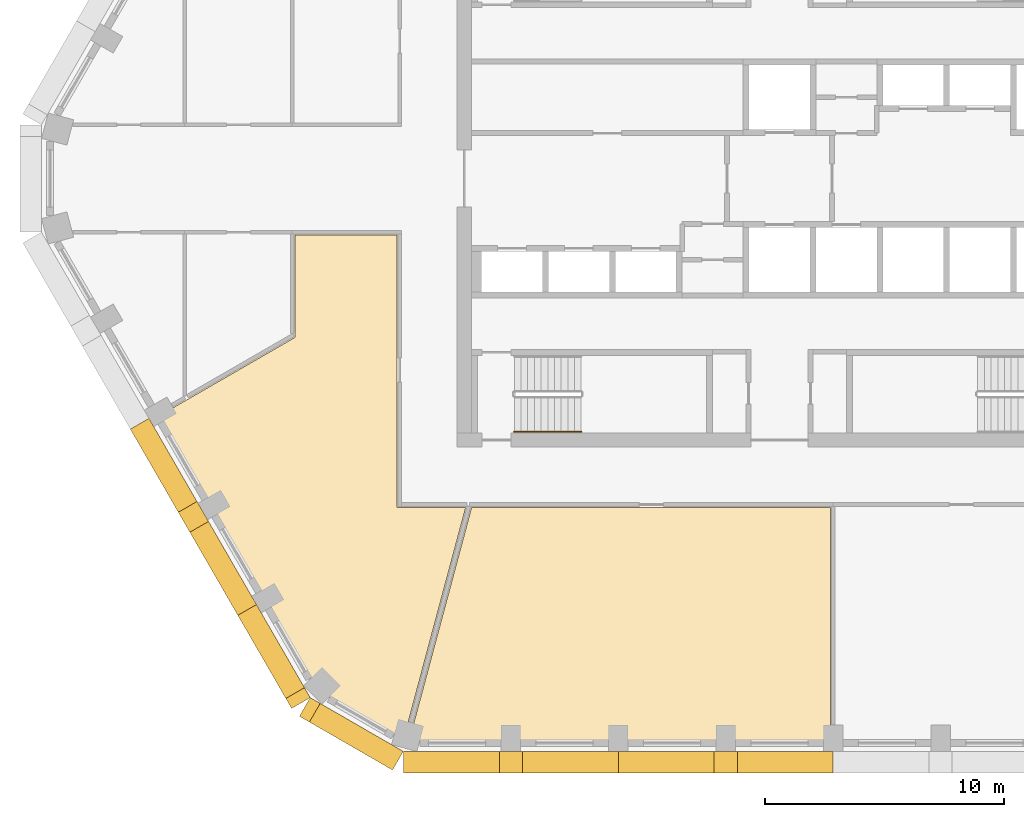
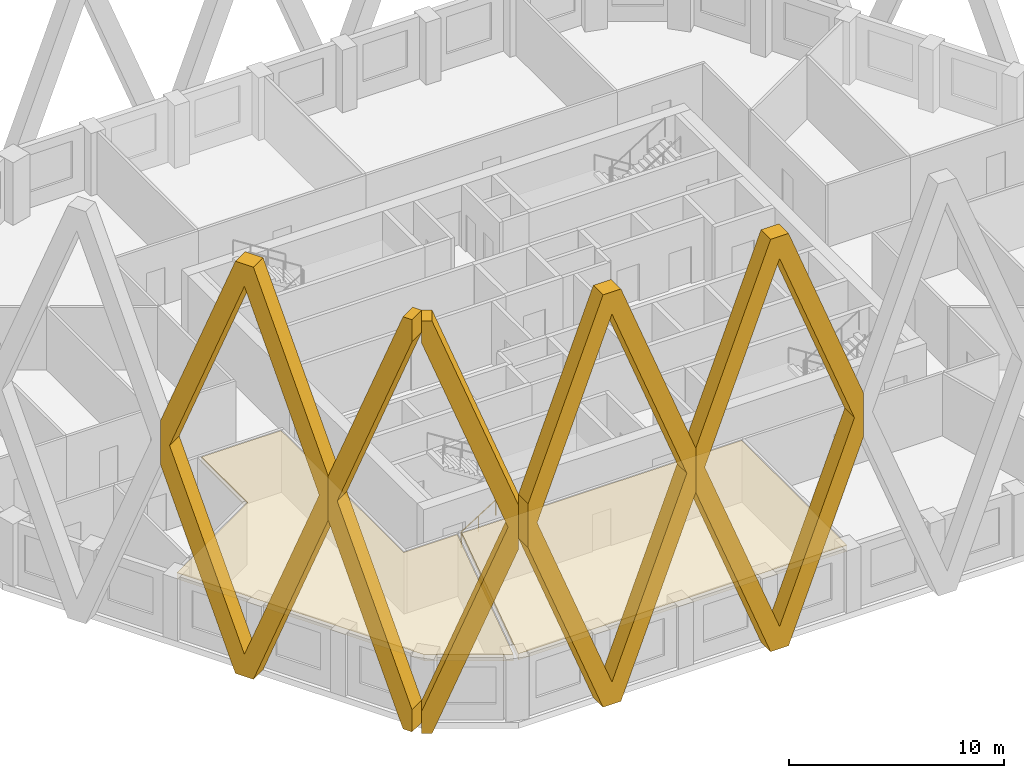
# One storey, part 8 of 15: 7 coverings, 1 railing.
"""IFC4 building model written with IfcOpenShell, lengths in metres."""

from ifc_helpers import new_model, si_unit, direction, frame, origin, origin_2d, place, context, subcontext, project, spatial, polyline, circle, outline, extrude, material, layer, layer_set, type_object, element, save


model = new_model("IFC4")

# Units and contexts
model_context = context("Model", 3, precision=1e-05, world=origin(), true_north=direction((0.0, 1.0)))
body_context = subcontext(model_context, "Body", "Model", "MODEL_VIEW")
ifc_project = project(units=[si_unit("LENGTHUNIT", "METRE"), si_unit("AREAUNIT", "SQUARE_METRE"), si_unit("VOLUMEUNIT", "CUBIC_METRE"), si_unit("PLANEANGLEUNIT", "RADIAN"), si_unit("MASSUNIT", "GRAM", prefix="KILO")], contexts=[model_context])

# Site, building, storey
site_placement = place(None, origin())
site = spatial("IfcSite", under=ifc_project, at=site_placement, CompositionType="ELEMENT")
building_placement = place(site_placement, origin())
building = spatial("IfcBuilding", under=site, at=building_placement, Name="Dhurran Vertical Campus", CompositionType="ELEMENT")
storey_placement = place(building_placement, frame((0.0, 0.0, 207.300048828125)))
storey = spatial("IfcBuildingStorey", under=building, at=storey_placement, Name="L51", CompositionType="ELEMENT", Elevation=207.300048828125)

# Coverings
ifc_material_1 = material(Name="Precast concrete C50/60", Category="concrete")
covering_type_1 = type_object("IfcCoveringType", Name="Folded precast fin lattice diamond", PredefinedType="USERDEFINED", material=ifc_material_1)
for number, where, z_axis, x_axis, name in (
    (1, (-15.75, -23.985595703125, 0.0), (0.0, -1.0, 0.0), (1.0, 0.0, 0.0), "FN1 L51.001"),
    (2, (-6.75, -23.985595703125, 0.0), (0.0, -1.0, 0.0), (1.0, 0.0, 0.0), "FN1 L51.002"),
    (3, (-26.397216796875, -10.044189453125, 0.0), (-0.866013897511, -0.50001992892, 0.0), (0.50001992892, -0.866013897511, 0.0), "FN1 L51.024"),
):
    element("IfcCovering", number, at=place(storey_placement, frame(where, z_axis=z_axis, x_axis=x_axis)), inside=storey, type_object=covering_type_1, Name=name, ObjectType="FIN", PredefinedType="USERDEFINED", context=body_context, shape_type="SweptSolid", body=[
        extrude(outline(polyline([(9.0, 12.95361328125), (9.0, 10.4462890625), (4.982177734375, 0.0), (4.017822265625, 0.0), (0.0, 10.4462890625), (0.0, 12.95361328125), (4.017822265625, 23.39990234375), (4.982177734375, 23.39990234375), (9.0, 12.95361328125)]), holes=[polyline([(8.517822265625, 11.699951171875), (4.5, 22.146484375), (0.482177734375, 11.699951171875), (4.5, 1.253662109375), (8.517822265625, 11.699951171875)])]), origin(), (0.0, 0.0, 1.0), 0.89990234375),
    ])
covering_1_placement = place(storey_placement, frame((-21.897216796875, -17.83837890625, 0.0), z_axis=(-0.865896406789, -0.500223362819, 0.0), x_axis=(0.500223362819, -0.865896406789, 0.0)))
element("IfcCovering", 4, at=covering_1_placement, inside=storey, type_object=covering_type_1, Name="FN1 L51.025", ObjectType="FIN", PredefinedType="USERDEFINED", context=body_context, shape_type="SweptSolid", body=[
    extrude(outline(polyline([(4.017822265625, 0.0), (0.0, 10.4462890625), (0.0, 12.95361328125), (4.017822265625, 23.39990234375), (4.5, 23.39990234375), (4.5, 22.146484375), (0.482177734375, 11.699951171875), (4.5, 1.253662109375), (4.5, 0.0), (4.017822265625, 0.0)])), origin(), (0.0, 0.0, 1.0), 0.89990234375),
])
covering_2_placement = place(storey_placement, frame((-19.647216796875, -21.735595703125, 0.0), z_axis=(-0.50001992892, -0.866013897511, 0.0), x_axis=(0.866013897511, -0.50001992892, 0.0)))
element("IfcCovering", 5, at=covering_2_placement, inside=storey, type_object=covering_type_1, Name="FN1 L51.026", ObjectType="FIN", PredefinedType="USERDEFINED", context=body_context, shape_type="SweptSolid", body=[
    extrude(outline(polyline([(4.5, 10.4462890625), (0.482177734375, 0.0), (0.0, 0.0), (0.0, 1.253662109375), (4.017822265625, 11.699951171875), (0.0, 22.146484375), (0.0, 23.39990234375), (0.482177734375, 23.39990234375), (4.5, 12.95361328125), (4.5, 10.4462890625)])), origin(), (0.0, 0.0, 1.0), 0.89990234375),
])

# Railing
ifc_material_2 = material(Name="Stainless steel handrail", Category="steel")
railing_type = type_object("IfcRailingType", Name="co-RL-HANDRAIL-900", PredefinedType="HANDRAIL", material=ifc_material_2)
railing_placement = place(storey_placement, frame((-11.10009765625, -10.60009765625, 0.17724609375)))
element("IfcRailing", 6, at=railing_placement, inside=storey, type_object=railing_type, Name="L51 ST3 stair handrail 1", PredefinedType="HANDRAIL", context=body_context, shape_type="SweptSolid", body=[
    extrude(circle(Radius=0.02392578125, at=origin_2d()), frame((0.0, 0.0, 0.8759765625), z_axis=(0.844908973607, 0.0, 0.534910110503), x_axis=(0.0, 1.0, 0.0)), (0.0, 0.0, 1.0), 3.31396484375),
    extrude(circle(Radius=0.02099609375, at=origin_2d()), origin(), (0.0, 0.0, 1.0), 0.851806640625),
    extrude(circle(Radius=0.02099609375, at=origin_2d()), frame((0.933349609375, 0.0, 0.5908203125)), (0.0, 0.0, 1.0), 0.851806640625),
    extrude(circle(Radius=0.02099609375, at=origin_2d()), frame((1.86669921875, 0.0, 1.181884765625)), (0.0, 0.0, 1.0), 0.851806640625),
    extrude(circle(Radius=0.02099609375, at=origin_2d()), frame((2.800048828125, 0.0, 1.772705078125)), (0.0, 0.0, 1.0), 0.851806640625),
])

# Coverings
ifc_material_3 = material(Name="Mineral fibre ceiling tiles on suspended grid")
ifc_layer = layer(ifc_material_3, 0.35009765625)
ifc_layer_set = layer_set([ifc_layer], Name="Mineral fibre ceiling tiles on suspended grid")
covering_type_2 = type_object("IfcCoveringType", Name="fl-CE-350 suspended ceiling", PredefinedType="CEILING", material=ifc_layer_set)
covering_3_placement = place(storey_placement, frame((0.0, 0.0, 3.199951171875)))
element("IfcCovering", 7, at=covering_3_placement, inside=storey, type_object=covering_type_2, Name="Ceiling 51-07", PredefinedType="CEILING", context=body_context, shape_type="SweptSolid", body=[
    extrude(outline(polyline([(-19.339111328125, -21.427978515625), (-25.972900390625, -9.93798828125), (-20.280029296875, -6.65087890625), (-20.280029296875, -2.3701171875), (-16.02001953125, -2.3701171875), (-16.02001953125, -13.77001953125), (-13.136962890625, -13.77001953125), (-15.7451171875, -23.50390625), (-19.339111328125, -21.427978515625)])), origin(), (0.0, 0.0, 1.0), 0.35009765625),
])
covering_4_placement = place(storey_placement, frame((0.0, 0.0, 3.199951171875)))
element("IfcCovering", 8, at=covering_4_placement, inside=storey, type_object=covering_type_2, Name="Ceiling 51-11", PredefinedType="CEILING", context=body_context, shape_type="SweptSolid", body=[
    extrude(outline(polyline([(2.1298828125, -23.56591796875), (-15.513916015625, -23.56591796875), (-12.888916015625, -13.77001953125), (2.1298828125, -13.77001953125), (2.1298828125, -23.56591796875)])), origin(), (0.0, 0.0, 1.0), 0.35009765625),
])

save(model, "model.ifc")
